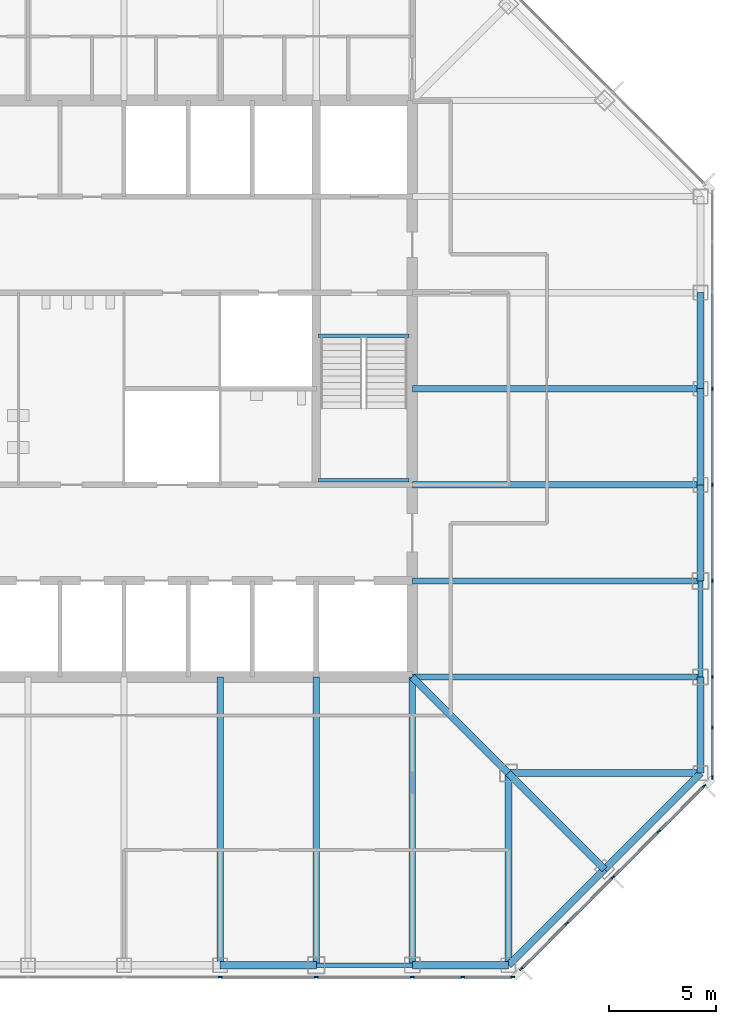
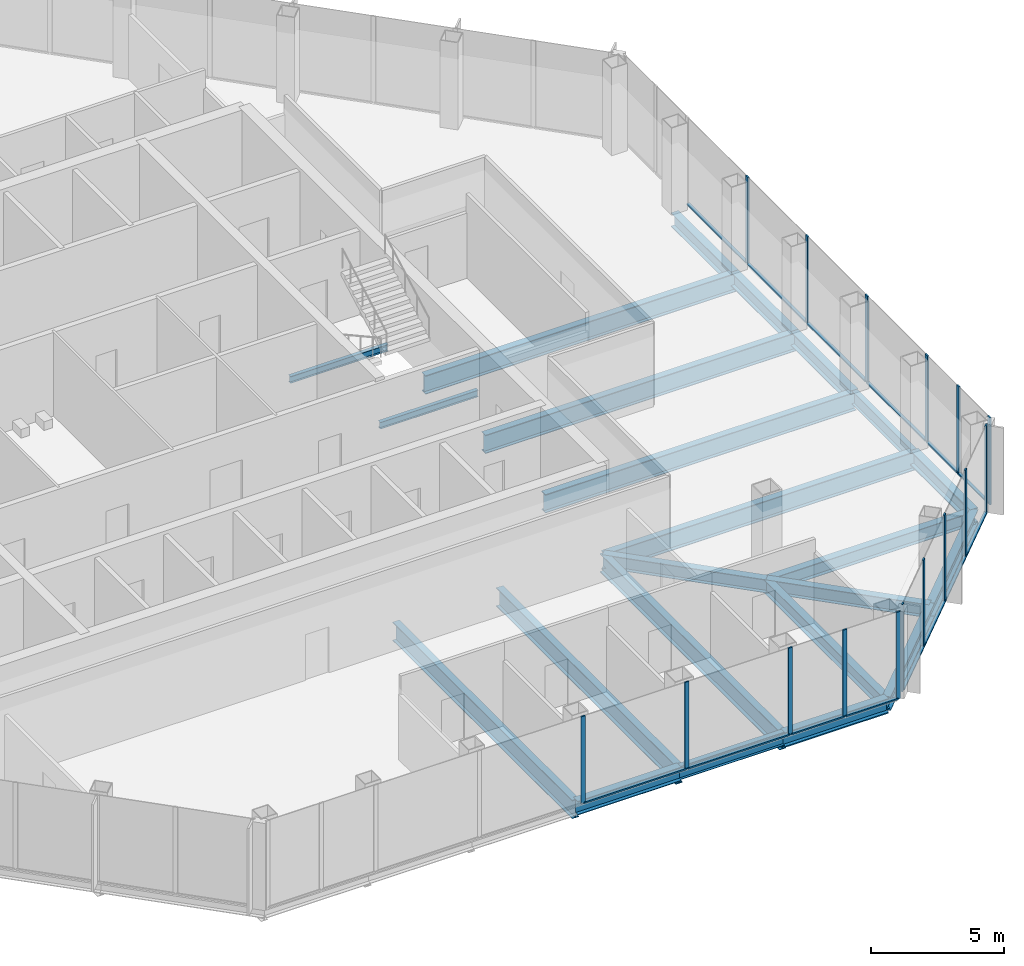
# One storey, part 4 of 12: 30 members, 23 beams, 3 elements without a shape of their own.
"""IFC4 building model written with IfcOpenShell, lengths in metres."""

from ifc_helpers import new_model, si_unit, direction, frame, origin, origin_2d, place, context, subcontext, project, spatial, rectangle, i_section, extrude, material, material_profile, profile_set, type_object, element, aggregate, save


model = new_model("IFC4")

# Units and contexts
model_context = context("Model", 3, precision=1e-05, world=origin(), true_north=direction((0.0, 1.0)))
body_context = subcontext(model_context, "Body", "Model", "MODEL_VIEW")
ifc_project = project(units=[si_unit("LENGTHUNIT", "METRE"), si_unit("AREAUNIT", "SQUARE_METRE"), si_unit("VOLUMEUNIT", "CUBIC_METRE"), si_unit("PLANEANGLEUNIT", "RADIAN"), si_unit("MASSUNIT", "GRAM", prefix="KILO")], contexts=[model_context])

# Site, building, storey
site_placement = place(None, origin())
site = spatial("IfcSite", under=ifc_project, at=site_placement, CompositionType="ELEMENT")
building_placement = place(site_placement, origin())
building = spatial("IfcBuilding", under=site, at=building_placement, Name="Corais Broadcast Tower", CompositionType="ELEMENT")
storey_placement = place(building_placement, frame((0.0, 0.0, 159.60009765625)))
storey = spatial("IfcBuildingStorey", under=building, at=storey_placement, Name="L36", CompositionType="ELEMENT", Elevation=159.60009765625)

# Beams
ifc_material_1 = material(Name="Steel ASTM A572 Grade 50", Category="steel")
ifc_material_profile_1 = material_profile(ifc_material_1, i_section(OverallWidth=0.323974609375, OverallDepth=0.611083984375, WebThickness=0.0126953125, FlangeThickness=0.01904296875, at=origin_2d()), Name="W610x155")
ifc_profile_set_1 = profile_set([ifc_material_profile_1], Name="Steel ASTM A572 Grade 50")
beam_type_1 = type_object("IfcBeamType", Name="Chamfer tie W610x155", PredefinedType="BEAM", material=ifc_profile_set_1)
beam_1_placement = place(storey_placement, frame((49.5, 4.5, -0.465576171875), z_axis=(-0.707106781187, 0.707106781187, 0.0), x_axis=(-0.707106781187, -0.707106781187, 0.0)))
element("IfcBeam", 1, at=beam_1_placement, inside=storey, type_object=beam_type_1, Name="B5 B/14 to C/13", PredefinedType="BEAM", context=body_context, shape_type="SweptSolid", body=[
    extrude(i_section(OverallWidth=0.323974609375, OverallDepth=0.611083984375, WebThickness=0.0126953125, FlangeThickness=0.01904296875, at=origin_2d()), origin(), (0.0, 0.0, 1.0), 6.364013671875),
])
ifc_material_2 = material(Name="Steel ASTM A572 Grade 50", Category="steel")
ifc_material_profile_2 = material_profile(ifc_material_2, i_section(OverallWidth=0.323974609375, OverallDepth=0.611083984375, WebThickness=0.0126953125, FlangeThickness=0.01904296875, at=origin_2d()), Name="W610x155")
ifc_profile_set_2 = profile_set([ifc_material_profile_2], Name="Steel ASTM A572 Grade 50")
beam_type_2 = type_object("IfcBeamType", Name="Corner diagonal W610x155", PredefinedType="BEAM", material=ifc_profile_set_2)
beam_2_placement = place(storey_placement, frame((45.0, 9.0, -0.465576171875), z_axis=(-0.707106781187, 0.707106781187, 0.0), x_axis=(-0.707106781187, -0.707106781187, 0.0)))
element("IfcBeam", 2, at=beam_2_placement, inside=storey, type_object=beam_type_2, Name="B6 C/13 to D/12", PredefinedType="BEAM", context=body_context, shape_type="SweptSolid", body=[
    extrude(i_section(OverallWidth=0.323974609375, OverallDepth=0.611083984375, WebThickness=0.0126953125, FlangeThickness=0.01904296875, at=origin_2d()), origin(), (0.0, 0.0, 1.0), 6.364013671875),
])
ifc_material_3 = material(Name="Steel ASTM A572 Grade 50", Category="steel")
ifc_material_profile_3 = material_profile(ifc_material_3, i_section(OverallWidth=0.323974609375, OverallDepth=0.611083984375, WebThickness=0.0126953125, FlangeThickness=0.01904296875, at=origin_2d()), Name="W610x155")
ifc_profile_set_3 = profile_set([ifc_material_profile_3], Name="Steel ASTM A572 Grade 50")
beam_type_3 = type_object("IfcBeamType", Name="Corner girder W610x155", PredefinedType="BEAM", material=ifc_profile_set_3)
for number, where, z_axis, x_axis, name in (
    (3, (45.0, 0.0, -0.465576171875), (0.0, 1.0, 0.0), (-1.0, 0.0, 0.0), "B4 A/13 to C/13"),
    (4, (54.0, 9.0, -0.465576171875), (-1.0, 0.0, 0.0), (0.0, -1.0, 0.0), "B4 C/15 to C/13"),
):
    element("IfcBeam", number, at=place(storey_placement, frame(where, z_axis=z_axis, x_axis=x_axis)), inside=storey, type_object=beam_type_3, Name=name, PredefinedType="BEAM", context=body_context, shape_type="SweptSolid", body=[
        extrude(i_section(OverallWidth=0.323974609375, OverallDepth=0.611083984375, WebThickness=0.0126953125, FlangeThickness=0.01904296875, at=origin_2d()), origin(), (0.0, 0.0, 1.0), 9.0),
    ])
ifc_material_4 = material(Name="Steel ASTM A572 Grade 50", Category="steel")
ifc_material_profile_4 = material_profile(ifc_material_4, i_section(OverallWidth=0.337890625, OverallDepth=0.677978515625, WebThickness=0.029541015625, FlangeThickness=0.052978515625, at=origin_2d()), Name="W610x415")
ifc_profile_set_4 = profile_set([ifc_material_profile_4], Name="Steel ASTM A572 Grade 50")
beam_type_4 = type_object("IfcBeamType", Name="Corner spandrel W610x415", PredefinedType="BEAM", material=ifc_profile_set_4)
for number, where, z_axis, x_axis, name in (
    (5, (40.5, 0.0, -0.4990234375), (1.0, 0.0, 0.0), (0.0, 1.0, 0.0), "SB10 A/12 to A/13"),
    (6, (54.0, 9.0, -0.4990234375), (0.0, 1.0, 0.0), (-1.0, 0.0, 0.0), "SB10 C/15 to D/15"),
):
    element("IfcBeam", number, at=place(storey_placement, frame(where, z_axis=z_axis, x_axis=x_axis)), inside=storey, type_object=beam_type_4, Name=name, PredefinedType="BEAM", context=body_context, shape_type="SweptSolid", body=[
        extrude(i_section(OverallWidth=0.337890625, OverallDepth=0.677978515625, WebThickness=0.029541015625, FlangeThickness=0.052978515625, at=origin_2d()), origin(), (0.0, 0.0, 1.0), 4.5),
    ])
ifc_material_5 = material(Name="Steel ASTM A572 Grade 50", Category="steel")
ifc_material_profile_5 = material_profile(ifc_material_5, i_section(OverallWidth=0.2939453125, OverallDepth=0.85107421875, WebThickness=0.01611328125, FlangeThickness=0.02685546875, at=origin_2d()), Name="W840x226")
ifc_profile_set_5 = profile_set([ifc_material_profile_5], Name="Steel ASTM A572 Grade 50")
beam_type_5 = type_object("IfcBeamType", Name="Floor beam W840x226", PredefinedType="BEAM", material=ifc_profile_set_5)
for number, where, z_axis, x_axis, name in (
    (7, (31.5, 0.0, -0.585693359375), (0.0, 1.0, 0.0), (-1.0, 0.0, 0.0), "B1 A/10 to D/10"),
    (8, (36.0, 0.0, -0.585693359375), (0.0, 1.0, 0.0), (-1.0, 0.0, 0.0), "B1 A/11 to D/11"),
    (9, (40.5, 0.0, -0.585693359375), (0.0, 1.0, 0.0), (-1.0, 0.0, 0.0), "B1 A/12 to D/12"),
    (10, (54.0, 13.5, -0.585693359375), (-1.0, 0.0, 0.0), (0.0, -1.0, 0.0), "B1 D/15 to D/12"),
    (11, (54.0, 18.0, -0.585693359375), (-1.0, 0.0, 0.0), (0.0, -1.0, 0.0), "B1 E/15 to E/12"),
    (12, (54.0, 22.5, -0.585693359375), (-1.0, 0.0, 0.0), (0.0, -1.0, 0.0), "B1 F/15 to F/12"),
    (13, (54.0, 27.0, -0.585693359375), (-1.0, 0.0, 0.0), (0.0, -1.0, 0.0), "B1 G/15 to G/12"),
):
    element("IfcBeam", number, at=place(storey_placement, frame(where, z_axis=z_axis, x_axis=x_axis)), inside=storey, type_object=beam_type_5, Name=name, PredefinedType="BEAM", context=body_context, shape_type="SweptSolid", body=[
        extrude(i_section(OverallWidth=0.2939453125, OverallDepth=0.85107421875, WebThickness=0.01611328125, FlangeThickness=0.02685546875, at=origin_2d()), origin(), (0.0, 0.0, 1.0), 13.5),
    ])
ifc_material_6 = material(Name="Steel ASTM A572 Grade 50", Category="steel")
ifc_material_profile_6 = material_profile(ifc_material_6, i_section(OverallWidth=0.1650390625, OverallDepth=0.31005859375, WebThickness=0.005859375, FlangeThickness=0.009765625, at=origin_2d()), Name="W310x38.7")
ifc_profile_set_6 = profile_set([ifc_material_profile_6], Name="Steel ASTM A572 Grade 50")
beam_type_6 = type_object("IfcBeamType", Name="Landing trimmer W310x38.7", PredefinedType="BEAM", material=ifc_profile_set_6)
for number, where, z_axis, x_axis, name in (
    (14, (36.10009765625, 29.47509765625, -0.35498046875), (1.0, 0.0, 0.0), (0.0, 1.0, 0.0), "LT1 stair B landing trimmer L36"),
    (15, (36.10009765625, 22.715087890625, 1.64501953125), (1.0, 0.0, 0.0), (0.0, 1.0, 0.0), "LT1 stair B half landing trimmer L36"),
):
    element("IfcBeam", number, at=place(storey_placement, frame(where, z_axis=z_axis, x_axis=x_axis)), inside=storey, type_object=beam_type_6, Name=name, PredefinedType="BEAM", context=body_context, shape_type="SweptSolid", body=[
        extrude(i_section(OverallWidth=0.1650390625, OverallDepth=0.31005859375, WebThickness=0.005859375, FlangeThickness=0.009765625, at=origin_2d()), origin(), (0.0, 0.0, 1.0), 4.25),
    ])

# Curtain wall, members
ifc_material_7 = material(Name="Aluminium and glass", Category="aluminium")
curtain_wall_type = type_object("IfcCurtainWallType", Name="Unitised fritted curtain wall CW2", PredefinedType="NOTDEFINED", material=ifc_material_7)
curtain_wall_1_placement = place(storey_placement, origin())
curtain_wall_1 = element("IfcCurtainWall", 16, at=curtain_wall_1_placement, inside=storey, type_object=curtain_wall_type, Name="CW2 curtain wall L36 6", PredefinedType="NOTDEFINED")
ifc_material_8 = material(Name="Aluminium 6063-T6", Category="aluminium")
ifc_material_profile_7 = material_profile(ifc_material_8, rectangle(XDim=0.06494140625, YDim=0.179931640625, at=origin_2d()), Name="Mullion CW2 65x180")
ifc_profile_set_7 = profile_set([ifc_material_profile_7], Name="Aluminium 6063-T6")
member_type_1 = type_object("IfcMemberType", Name="Mullion CW2 65x180", PredefinedType="MULLION", material=ifc_profile_set_7)
member_1_placement = place(storey_placement, frame((54.550048828125, 27.0, 0.0), z_axis=(0.0, 0.0, 1.0), x_axis=(1.0, 0.0, 0.0)))
member_1 = element("IfcMember", 17, at=member_1_placement, type_object=member_type_1, Name="CW2 mullion 4", PredefinedType="MULLION", context=body_context, shape_type="SweptSolid", body=[
    extrude(rectangle(XDim=0.06494140625, YDim=0.179931640625, at=origin_2d()), origin(), (0.0, 0.0, 1.0), 4.0),
])
member_2_placement = place(storey_placement, frame((54.550048828125, 22.5, 0.0), z_axis=(0.0, 0.0, 1.0), x_axis=(1.0, 0.0, 0.0)))
member_2 = element("IfcMember", 18, at=member_2_placement, type_object=member_type_1, Name="CW2 mullion 5", PredefinedType="MULLION", context=body_context, shape_type="SweptSolid", body=[
    extrude(rectangle(XDim=0.06494140625, YDim=0.179931640625, at=origin_2d()), origin(), (0.0, 0.0, 1.0), 4.0),
])
member_3_placement = place(storey_placement, frame((54.550048828125, 18.0, 0.0), z_axis=(0.0, 0.0, 1.0), x_axis=(1.0, 0.0, 0.0)))
member_3 = element("IfcMember", 19, at=member_3_placement, type_object=member_type_1, Name="CW2 mullion 6", PredefinedType="MULLION", context=body_context, shape_type="SweptSolid", body=[
    extrude(rectangle(XDim=0.06494140625, YDim=0.179931640625, at=origin_2d()), origin(), (0.0, 0.0, 1.0), 4.0),
])
member_4_placement = place(storey_placement, frame((54.550048828125, 13.5, 0.0), z_axis=(0.0, 0.0, 1.0), x_axis=(1.0, 0.0, 0.0)))
member_4 = element("IfcMember", 20, at=member_4_placement, type_object=member_type_1, Name="CW2 mullion 7", PredefinedType="MULLION", context=body_context, shape_type="SweptSolid", body=[
    extrude(rectangle(XDim=0.06494140625, YDim=0.179931640625, at=origin_2d()), origin(), (0.0, 0.0, 1.0), 4.0),
])
member_5_placement = place(storey_placement, frame((54.550048828125, 11.135986328125, 0.0), z_axis=(0.0, 0.0, 1.0), x_axis=(1.0, 0.0, 0.0)))
member_5 = element("IfcMember", 21, at=member_5_placement, type_object=member_type_1, Name="CW2 mullion 8", PredefinedType="MULLION", context=body_context, shape_type="SweptSolid", body=[
    extrude(rectangle(XDim=0.06494140625, YDim=0.179931640625, at=origin_2d()), origin(), (0.0, 0.0, 1.0), 4.0),
])
member_6_placement = place(storey_placement, frame((54.550048828125, 8.8046875, 0.0), z_axis=(0.0, 0.0, 1.0), x_axis=(1.0, 0.0, 0.0)))
member_6 = element("IfcMember", 22, at=member_6_placement, type_object=member_type_1, Name="CW2 mullion 9", PredefinedType="MULLION", context=body_context, shape_type="SweptSolid", body=[
    extrude(rectangle(XDim=0.06494140625, YDim=0.179931640625, at=origin_2d()), origin(), (0.0, 0.0, 1.0), 4.0),
])

curtain_wall_2_placement = place(storey_placement, origin())
curtain_wall_2 = element("IfcCurtainWall", 23, at=curtain_wall_2_placement, inside=storey, type_object=curtain_wall_type, Name="CW2 curtain wall L36 7", PredefinedType="NOTDEFINED")
member_7_placement = place(storey_placement, frame((54.17333984375, 8.3955078125, 0.0), z_axis=(0.0, 0.0, 1.0), x_axis=(0.707106781187, -0.707106781187, 0.0)))
member_7 = element("IfcMember", 24, at=member_7_placement, type_object=member_type_1, Name="CW2 mullion 1", PredefinedType="MULLION", context=body_context, shape_type="SweptSolid", body=[
    extrude(rectangle(XDim=0.06494140625, YDim=0.179931640625, at=origin_2d()), origin(), (0.0, 0.0, 1.0), 4.0),
])
member_8_placement = place(storey_placement, frame((52.042724609375, 6.264892578125, 0.0), z_axis=(0.0, 0.0, 1.0), x_axis=(0.707106781187, -0.707106781187, 0.0)))
member_8 = element("IfcMember", 25, at=member_8_placement, type_object=member_type_1, Name="CW2 mullion 2", PredefinedType="MULLION", context=body_context, shape_type="SweptSolid", body=[
    extrude(rectangle(XDim=0.06494140625, YDim=0.179931640625, at=origin_2d()), origin(), (0.0, 0.0, 1.0), 4.0),
])
member_9_placement = place(storey_placement, frame((49.888916015625, 4.111083984375, 0.0), z_axis=(0.0, 0.0, 1.0), x_axis=(0.707106781187, -0.707106781187, 0.0)))
member_9 = element("IfcMember", 26, at=member_9_placement, type_object=member_type_1, Name="CW2 mullion 3", PredefinedType="MULLION", context=body_context, shape_type="SweptSolid", body=[
    extrude(rectangle(XDim=0.06494140625, YDim=0.179931640625, at=origin_2d()), origin(), (0.0, 0.0, 1.0), 4.0),
])
member_10_placement = place(storey_placement, frame((47.735107421875, 1.957275390625, 0.0), z_axis=(0.0, 0.0, 1.0), x_axis=(0.707106781187, -0.707106781187, 0.0)))
member_10 = element("IfcMember", 27, at=member_10_placement, type_object=member_type_1, Name="CW2 mullion 4", PredefinedType="MULLION", context=body_context, shape_type="SweptSolid", body=[
    extrude(rectangle(XDim=0.06494140625, YDim=0.179931640625, at=origin_2d()), origin(), (0.0, 0.0, 1.0), 4.0),
])
member_11_placement = place(storey_placement, frame((45.6044921875, -0.17333984375, 0.0), z_axis=(0.0, 0.0, 1.0), x_axis=(0.707106781187, -0.707106781187, 0.0)))
member_11 = element("IfcMember", 28, at=member_11_placement, type_object=member_type_1, Name="CW2 mullion 5", PredefinedType="MULLION", context=body_context, shape_type="SweptSolid", body=[
    extrude(rectangle(XDim=0.06494140625, YDim=0.179931640625, at=origin_2d()), origin(), (0.0, 0.0, 1.0), 4.0),
])

curtain_wall_3_placement = place(storey_placement, origin())
curtain_wall_3 = element("IfcCurtainWall", 29, at=curtain_wall_3_placement, inside=storey, type_object=curtain_wall_type, Name="CW2 curtain wall L36 8", PredefinedType="NOTDEFINED")
member_12_placement = place(storey_placement, frame((45.1953125, -0.550048828125, 0.0), z_axis=(0.0, 0.0, 1.0), x_axis=(0.0, -1.0, 0.0)))
member_12 = element("IfcMember", 30, at=member_12_placement, type_object=member_type_1, Name="CW2 mullion 1", PredefinedType="MULLION", context=body_context, shape_type="SweptSolid", body=[
    extrude(rectangle(XDim=0.06494140625, YDim=0.179931640625, at=origin_2d()), origin(), (0.0, 0.0, 1.0), 4.0),
])
member_13_placement = place(storey_placement, frame((42.864013671875, -0.550048828125, 0.0), z_axis=(0.0, 0.0, 1.0), x_axis=(0.0, -1.0, 0.0)))
member_13 = element("IfcMember", 31, at=member_13_placement, type_object=member_type_1, Name="CW2 mullion 2", PredefinedType="MULLION", context=body_context, shape_type="SweptSolid", body=[
    extrude(rectangle(XDim=0.06494140625, YDim=0.179931640625, at=origin_2d()), origin(), (0.0, 0.0, 1.0), 4.0),
])
member_14_placement = place(storey_placement, frame((40.5, -0.550048828125, 0.0), z_axis=(0.0, 0.0, 1.0), x_axis=(0.0, -1.0, 0.0)))
member_14 = element("IfcMember", 32, at=member_14_placement, type_object=member_type_1, Name="CW2 mullion 3", PredefinedType="MULLION", context=body_context, shape_type="SweptSolid", body=[
    extrude(rectangle(XDim=0.06494140625, YDim=0.179931640625, at=origin_2d()), origin(), (0.0, 0.0, 1.0), 4.0),
])
member_15_placement = place(storey_placement, frame((36.0, -0.550048828125, 0.0), z_axis=(0.0, 0.0, 1.0), x_axis=(0.0, -1.0, 0.0)))
member_15 = element("IfcMember", 33, at=member_15_placement, type_object=member_type_1, Name="CW2 mullion 4", PredefinedType="MULLION", context=body_context, shape_type="SweptSolid", body=[
    extrude(rectangle(XDim=0.06494140625, YDim=0.179931640625, at=origin_2d()), origin(), (0.0, 0.0, 1.0), 4.0),
])
member_16_placement = place(storey_placement, frame((31.5, -0.550048828125, 0.0), z_axis=(0.0, 0.0, 1.0), x_axis=(0.0, -1.0, 0.0)))
member_16 = element("IfcMember", 34, at=member_16_placement, type_object=member_type_1, Name="CW2 mullion 5", PredefinedType="MULLION", context=body_context, shape_type="SweptSolid", body=[
    extrude(rectangle(XDim=0.06494140625, YDim=0.179931640625, at=origin_2d()), origin(), (0.0, 0.0, 1.0), 4.0),
])

# Beams
ifc_material_9 = material(Name="Steel ASTM A572 Grade 50", Category="steel")
ifc_material_profile_8 = material_profile(ifc_material_9, i_section(OverallWidth=0.22900390625, OverallDepth=0.612060546875, WebThickness=0.011962890625, FlangeThickness=0.01953125, at=origin_2d()), Name="W610x125")
ifc_profile_set_8 = profile_set([ifc_material_profile_8], Name="Steel ASTM A572 Grade 50")
beam_type_7 = type_object("IfcBeamType", Name="Pinned spandrel W610x125", PredefinedType="BEAM", material=ifc_profile_set_8)
for number, where, z_axis, x_axis, name in (
    (35, (36.0, 0.0, -0.466064453125), (1.0, 0.0, 0.0), (0.0, 1.0, 0.0), "SB7 A/11 to A/12"),
    (36, (54.0, 13.5, -0.466064453125), (0.0, 1.0, 0.0), (-1.0, 0.0, 0.0), "SB7 D/15 to E/15"),
):
    element("IfcBeam", number, at=place(storey_placement, frame(where, z_axis=z_axis, x_axis=x_axis)), inside=storey, type_object=beam_type_7, Name=name, PredefinedType="BEAM", context=body_context, shape_type="SweptSolid", body=[
        extrude(i_section(OverallWidth=0.22900390625, OverallDepth=0.612060546875, WebThickness=0.011962890625, FlangeThickness=0.01953125, at=origin_2d()), origin(), (0.0, 0.0, 1.0), 4.5),
    ])
ifc_material_10 = material(Name="Steel ASTM A572 Grade 50", Category="steel")
ifc_material_profile_9 = material_profile(ifc_material_10, i_section(OverallWidth=0.3291015625, OverallDepth=0.635009765625, WebThickness=0.017822265625, FlangeThickness=0.031005859375, at=origin_2d()), Name="W610x241")
ifc_profile_set_9 = profile_set([ifc_material_profile_9], Name="Steel ASTM A572 Grade 50")
beam_type_8 = type_object("IfcBeamType", Name="Spandrel W610x241", PredefinedType="BEAM", material=ifc_profile_set_9)
beam_3_placement = place(storey_placement, frame((31.5, 0.0, -0.4775390625), z_axis=(1.0, 0.0, 0.0), x_axis=(0.0, 1.0, 0.0)))
element("IfcBeam", 37, at=beam_3_placement, inside=storey, type_object=beam_type_8, Name="SB1 A/10 to A/11", PredefinedType="BEAM", context=body_context, shape_type="SweptSolid", body=[
    extrude(i_section(OverallWidth=0.3291015625, OverallDepth=0.635009765625, WebThickness=0.017822265625, FlangeThickness=0.031005859375, at=origin_2d()), origin(), (0.0, 0.0, 1.0), 4.5),
])
for number, where, z_axis, x_axis, name in (
    (38, (45.0, 0.0, -0.4775390625), (0.707106781187, 0.707106781187, 0.0), (-0.707106781187, 0.707106781187, 0.0), "SB1 A/13 to B/14"),
    (39, (49.5, 4.5, -0.4775390625), (0.707106781187, 0.707106781187, 0.0), (-0.707106781187, 0.707106781187, 0.0), "SB1 B/14 to C/15"),
):
    element("IfcBeam", number, at=place(storey_placement, frame(where, z_axis=z_axis, x_axis=x_axis)), inside=storey, type_object=beam_type_8, Name=name, PredefinedType="BEAM", context=body_context, shape_type="SweptSolid", body=[
        extrude(i_section(OverallWidth=0.3291015625, OverallDepth=0.635009765625, WebThickness=0.017822265625, FlangeThickness=0.031005859375, at=origin_2d()), origin(), (0.0, 0.0, 1.0), 6.364013671875),
    ])
for number, where, z_axis, x_axis, name in (
    (40, (54.0, 18.0, -0.4775390625), (0.0, 1.0, 0.0), (-1.0, 0.0, 0.0), "SB1 E/15 to F/15"),
    (41, (54.0, 22.5, -0.4775390625), (0.0, 1.0, 0.0), (-1.0, 0.0, 0.0), "SB1 F/15 to G/15"),
    (42, (54.0, 27.0, -0.4775390625), (0.0, 1.0, 0.0), (-1.0, 0.0, 0.0), "SB1 G/15 to H/15"),
):
    element("IfcBeam", number, at=place(storey_placement, frame(where, z_axis=z_axis, x_axis=x_axis)), inside=storey, type_object=beam_type_8, Name=name, PredefinedType="BEAM", context=body_context, shape_type="SweptSolid", body=[
        extrude(i_section(OverallWidth=0.3291015625, OverallDepth=0.635009765625, WebThickness=0.017822265625, FlangeThickness=0.031005859375, at=origin_2d()), origin(), (0.0, 0.0, 1.0), 4.5),
    ])

# Member
ifc_material_11 = material(Name="Aluminium 6063-T6", Category="aluminium")
ifc_material_profile_10 = material_profile(ifc_material_11, rectangle(XDim=0.1298828125, YDim=0.06494140625, at=origin_2d()), Name="Transom CW2 65x130")
ifc_profile_set_10 = profile_set([ifc_material_profile_10], Name="Aluminium 6063-T6")
member_type_2 = type_object("IfcMemberType", Name="Transom CW2 65x130", PredefinedType="USERDEFINED", material=ifc_profile_set_10)
member_17_placement = place(storey_placement, frame((54.550048828125, 31.467529296875, 0.032470703125), z_axis=(0.0, -1.0, 0.0), x_axis=(1.0, 0.0, 0.0)))
member_17 = element("IfcMember", 43, at=member_17_placement, type_object=member_type_2, Name="CW2 transom 3.1", ObjectType="TRANSOM", PredefinedType="USERDEFINED", context=body_context, shape_type="SweptSolid", body=[
    extrude(rectangle(XDim=0.1298828125, YDim=0.06494140625, at=origin_2d()), origin(), (0.0, 0.0, 1.0), 4.43505859375),
])

member_18_placement = place(storey_placement, frame((54.550048828125, 26.967529296875, 0.032470703125), z_axis=(0.0, -1.0, 0.0), x_axis=(1.0, 0.0, 0.0)))
member_18 = element("IfcMember", 44, at=member_18_placement, type_object=member_type_2, Name="CW2 transom 4.1", ObjectType="TRANSOM", PredefinedType="USERDEFINED", context=body_context, shape_type="SweptSolid", body=[
    extrude(rectangle(XDim=0.1298828125, YDim=0.06494140625, at=origin_2d()), origin(), (0.0, 0.0, 1.0), 4.43505859375),
])

member_19_placement = place(storey_placement, frame((54.550048828125, 22.467529296875, 0.032470703125), z_axis=(0.0, -1.0, 0.0), x_axis=(1.0, 0.0, 0.0)))
member_19 = element("IfcMember", 45, at=member_19_placement, type_object=member_type_2, Name="CW2 transom 5.1", ObjectType="TRANSOM", PredefinedType="USERDEFINED", context=body_context, shape_type="SweptSolid", body=[
    extrude(rectangle(XDim=0.1298828125, YDim=0.06494140625, at=origin_2d()), origin(), (0.0, 0.0, 1.0), 4.43505859375),
])

member_20_placement = place(storey_placement, frame((54.550048828125, 17.967529296875, 0.032470703125), z_axis=(0.0, -1.0, 0.0), x_axis=(1.0, 0.0, 0.0)))
member_20 = element("IfcMember", 46, at=member_20_placement, type_object=member_type_2, Name="CW2 transom 6.1", ObjectType="TRANSOM", PredefinedType="USERDEFINED", context=body_context, shape_type="SweptSolid", body=[
    extrude(rectangle(XDim=0.1298828125, YDim=0.06494140625, at=origin_2d()), origin(), (0.0, 0.0, 1.0), 4.43505859375),
])

member_21_placement = place(storey_placement, frame((54.550048828125, 13.467529296875, 0.032470703125), z_axis=(0.0, -1.0, 0.0), x_axis=(1.0, 0.0, 0.0)))
member_21 = element("IfcMember", 47, at=member_21_placement, type_object=member_type_2, Name="CW2 transom 7.1", ObjectType="TRANSOM", PredefinedType="USERDEFINED", context=body_context, shape_type="SweptSolid", body=[
    extrude(rectangle(XDim=0.1298828125, YDim=0.06494140625, at=origin_2d()), origin(), (0.0, 0.0, 1.0), 2.298828125),
])

member_22_placement = place(storey_placement, frame((54.550048828125, 11.103515625, 0.032470703125), z_axis=(0.0, -1.0, 0.0), x_axis=(1.0, 0.0, 0.0)))
member_22 = element("IfcMember", 48, at=member_22_placement, type_object=member_type_2, Name="CW2 transom 8.1", ObjectType="TRANSOM", PredefinedType="USERDEFINED", context=body_context, shape_type="SweptSolid", body=[
    extrude(rectangle(XDim=0.1298828125, YDim=0.06494140625, at=origin_2d()), origin(), (0.0, 0.0, 1.0), 2.266357421875),
])

aggregate(curtain_wall_1, [member_1, member_2, member_3, member_4, member_5, member_6, member_17, member_18, member_19, member_20, member_21, member_22])

member_23_placement = place(storey_placement, frame((54.150390625, 8.37255859375, 0.032470703125), z_axis=(-0.707106781187, -0.707106781187, 0.0), x_axis=(0.707106781187, -0.707106781187, 0.0)))
member_23 = element("IfcMember", 49, at=member_23_placement, type_object=member_type_2, Name="CW2 transom 1.1", ObjectType="TRANSOM", PredefinedType="USERDEFINED", context=body_context, shape_type="SweptSolid", body=[
    extrude(rectangle(XDim=0.1298828125, YDim=0.06494140625, at=origin_2d()), origin(), (0.0, 0.0, 1.0), 2.9482421875),
])

member_24_placement = place(storey_placement, frame((52.019775390625, 6.241943359375, 0.032470703125), z_axis=(-0.707106781187, -0.707106781187, 0.0), x_axis=(0.707106781187, -0.707106781187, 0.0)))
member_24 = element("IfcMember", 50, at=member_24_placement, type_object=member_type_2, Name="CW2 transom 2.1", ObjectType="TRANSOM", PredefinedType="USERDEFINED", context=body_context, shape_type="SweptSolid", body=[
    extrude(rectangle(XDim=0.1298828125, YDim=0.06494140625, at=origin_2d()), origin(), (0.0, 0.0, 1.0), 2.98095703125),
])

member_25_placement = place(storey_placement, frame((49.865966796875, 4.088134765625, 0.032470703125), z_axis=(-0.707106781187, -0.707106781187, 0.0), x_axis=(0.707106781187, -0.707106781187, 0.0)))
member_25 = element("IfcMember", 51, at=member_25_placement, type_object=member_type_2, Name="CW2 transom 3.1", ObjectType="TRANSOM", PredefinedType="USERDEFINED", context=body_context, shape_type="SweptSolid", body=[
    extrude(rectangle(XDim=0.1298828125, YDim=0.06494140625, at=origin_2d()), origin(), (0.0, 0.0, 1.0), 2.98095703125),
])

member_26_placement = place(storey_placement, frame((47.712158203125, 1.934326171875, 0.032470703125), z_axis=(-0.707106781187, -0.707106781187, 0.0), x_axis=(0.707106781187, -0.707106781187, 0.0)))
member_26 = element("IfcMember", 52, at=member_26_placement, type_object=member_type_2, Name="CW2 transom 4.1", ObjectType="TRANSOM", PredefinedType="USERDEFINED", context=body_context, shape_type="SweptSolid", body=[
    extrude(rectangle(XDim=0.1298828125, YDim=0.06494140625, at=origin_2d()), origin(), (0.0, 0.0, 1.0), 2.9482421875),
])

aggregate(curtain_wall_2, [member_7, member_8, member_9, member_10, member_11, member_23, member_24, member_25, member_26])

member_27_placement = place(storey_placement, frame((45.162841796875, -0.550048828125, 0.032470703125), z_axis=(-1.0, 0.0, 0.0), x_axis=(0.0, -1.0, 0.0)))
member_27 = element("IfcMember", 53, at=member_27_placement, type_object=member_type_2, Name="CW2 transom 1.1", ObjectType="TRANSOM", PredefinedType="USERDEFINED", context=body_context, shape_type="SweptSolid", body=[
    extrude(rectangle(XDim=0.1298828125, YDim=0.06494140625, at=origin_2d()), origin(), (0.0, 0.0, 1.0), 2.266357421875),
])

member_28_placement = place(storey_placement, frame((42.831298828125, -0.550048828125, 0.032470703125), z_axis=(-1.0, 0.0, 0.0), x_axis=(0.0, -1.0, 0.0)))
member_28 = element("IfcMember", 54, at=member_28_placement, type_object=member_type_2, Name="CW2 transom 2.1", ObjectType="TRANSOM", PredefinedType="USERDEFINED", context=body_context, shape_type="SweptSolid", body=[
    extrude(rectangle(XDim=0.1298828125, YDim=0.06494140625, at=origin_2d()), origin(), (0.0, 0.0, 1.0), 2.298828125),
])

member_29_placement = place(storey_placement, frame((40.467529296875, -0.550048828125, 0.032470703125), z_axis=(-1.0, 0.0, 0.0), x_axis=(0.0, -1.0, 0.0)))
member_29 = element("IfcMember", 55, at=member_29_placement, type_object=member_type_2, Name="CW2 transom 3.1", ObjectType="TRANSOM", PredefinedType="USERDEFINED", context=body_context, shape_type="SweptSolid", body=[
    extrude(rectangle(XDim=0.1298828125, YDim=0.06494140625, at=origin_2d()), origin(), (0.0, 0.0, 1.0), 4.43505859375),
])

member_30_placement = place(storey_placement, frame((35.967529296875, -0.550048828125, 0.032470703125), z_axis=(-1.0, 0.0, 0.0), x_axis=(0.0, -1.0, 0.0)))
member_30 = element("IfcMember", 56, at=member_30_placement, type_object=member_type_2, Name="CW2 transom 4.1", ObjectType="TRANSOM", PredefinedType="USERDEFINED", context=body_context, shape_type="SweptSolid", body=[
    extrude(rectangle(XDim=0.1298828125, YDim=0.06494140625, at=origin_2d()), origin(), (0.0, 0.0, 1.0), 4.43505859375),
])

aggregate(curtain_wall_3, [member_12, member_13, member_14, member_15, member_16, member_27, member_28, member_29, member_30])

save(model, "model.ifc")
